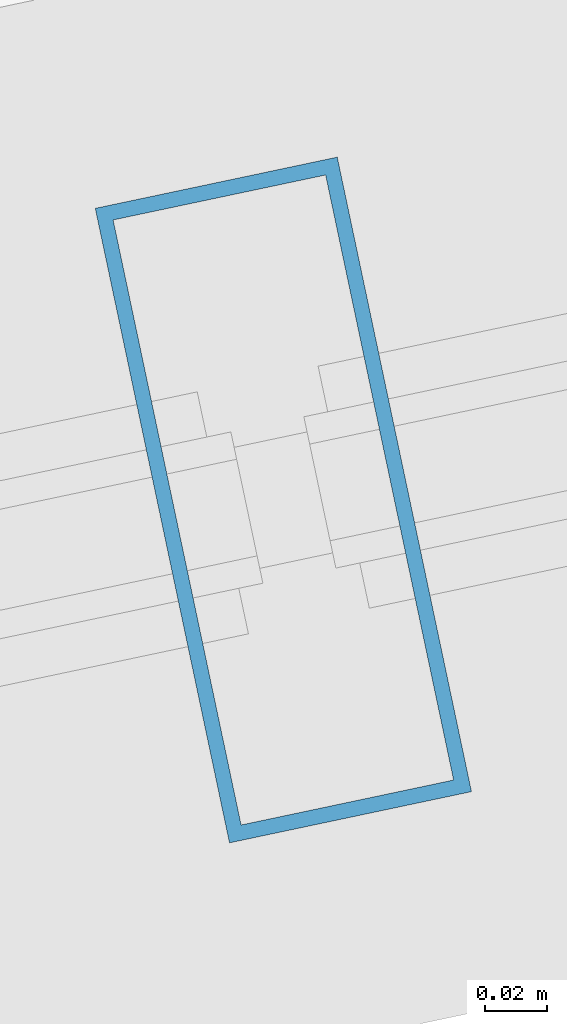
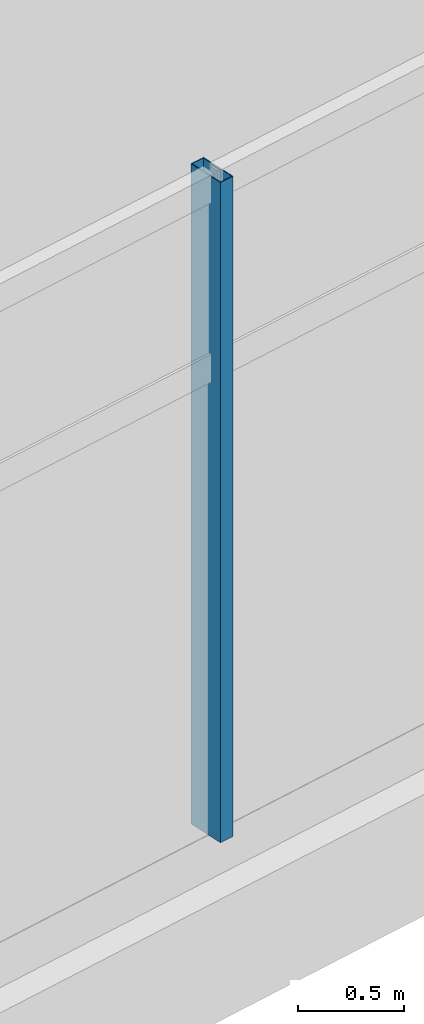
# One storey, part 49 of 171: 1 member, 1 element without a shape of its own.
"""IFC4 building model written with IfcOpenShell, lengths in metres."""

from ifc_helpers import new_model, si_unit, direction, frame, origin, origin_2d, place, context, subcontext, project, spatial, hollow_rectangle, extrude, material, layer, layer_set, material_profile, profile_set, type_object, element, aggregate, save


model = new_model("IFC4")

# Units and contexts
model_context = context("Model", 3, precision=1e-05, world=origin(), true_north=direction((0.0, 1.0)))
body_context = subcontext(model_context, "Body", "Model", "MODEL_VIEW")
ifc_project = project(units=[si_unit("LENGTHUNIT", "METRE"), si_unit("AREAUNIT", "SQUARE_METRE"), si_unit("VOLUMEUNIT", "CUBIC_METRE"), si_unit("PLANEANGLEUNIT", "RADIAN"), si_unit("MASSUNIT", "GRAM", prefix="KILO")], contexts=[model_context])

# Site, building, storey
site_placement = place(None, origin())
site = spatial("IfcSite", under=ifc_project, at=site_placement, CompositionType="ELEMENT")
building_placement = place(site_placement, origin())
building = spatial("IfcBuilding", under=site, at=building_placement, Name="Kazemori Nagisa Stadium", CompositionType="ELEMENT")
storey_placement = place(building_placement, frame((0.0, 0.0, 15.639892578125)))
storey = spatial("IfcBuildingStorey", under=building, at=storey_placement, Name="L03", CompositionType="ELEMENT", Elevation=15.639892578125)

# Curtain wall, member
ifc_material_1 = material(Name="Anodised aluminium 6063-T5", Category="aluminium")
ifc_layer = layer(ifc_material_1, 0.2099609375, Name="Anodised aluminium 6063-T5", Category="aluminium")
ifc_layer_set = layer_set([ifc_layer], Name="Anodised aluminium 6063-T5")
curtain_wall_type = type_object("IfcCurtainWallType", Name="CW_L03R3_105", PredefinedType="USERDEFINED", material=ifc_layer_set)
curtain_wall_placement = place(storey_placement, origin())
curtain_wall = element("IfcCurtainWall", 1, at=curtain_wall_placement, inside=storey, type_object=curtain_wall_type, Name="Unitised curtain wall CW-L03R3-105 L03", ObjectType="UNITISED CURTAIN WALL", PredefinedType="USERDEFINED")
ifc_material_2 = material(Name="Aluminium 6063-T5 anodised", Category="aluminium")
ifc_material_profile = material_profile(ifc_material_2, hollow_rectangle(XDim=0.080078125, YDim=0.2099609375, WallThickness=0.0048828125, at=origin_2d()), Name="ALU-MULL-80x210x5")
ifc_profile_set = profile_set([ifc_material_profile], Name="Aluminium 6063-T5 anodised")
member_type = type_object("IfcMemberType", Name="Mullion_M02", PredefinedType="MULLION", material=ifc_profile_set)
member_placement = place(storey_placement, frame((151.708251953125, 18.553466796875, 0.0), z_axis=(0.0, 0.0, 1.0), x_axis=(0.978344955407, 0.206981033502, 0.0)))
member = element("IfcMember", 2, at=member_placement, type_object=member_type, Name="Curtain wall mullion CW-L03R3-105-M2", PredefinedType="MULLION", context=body_context, shape_type="SweptSolid", body=[
    extrude(hollow_rectangle(XDim=0.080078125, YDim=0.2099609375, WallThickness=0.0048828125, at=origin_2d()), origin(), (0.0, 0.0, 1.0), 3.81005859375),
])
aggregate(curtain_wall, [member])

save(model, "model.ifc")
